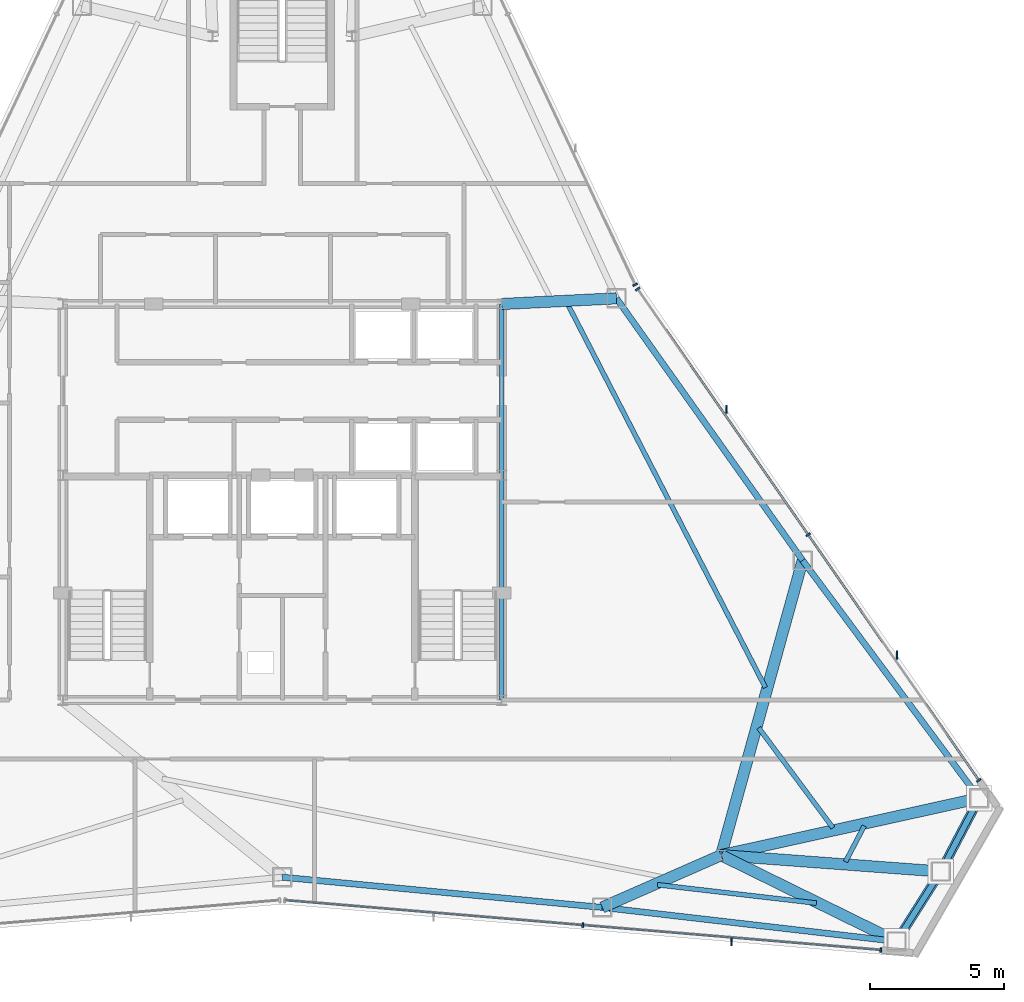
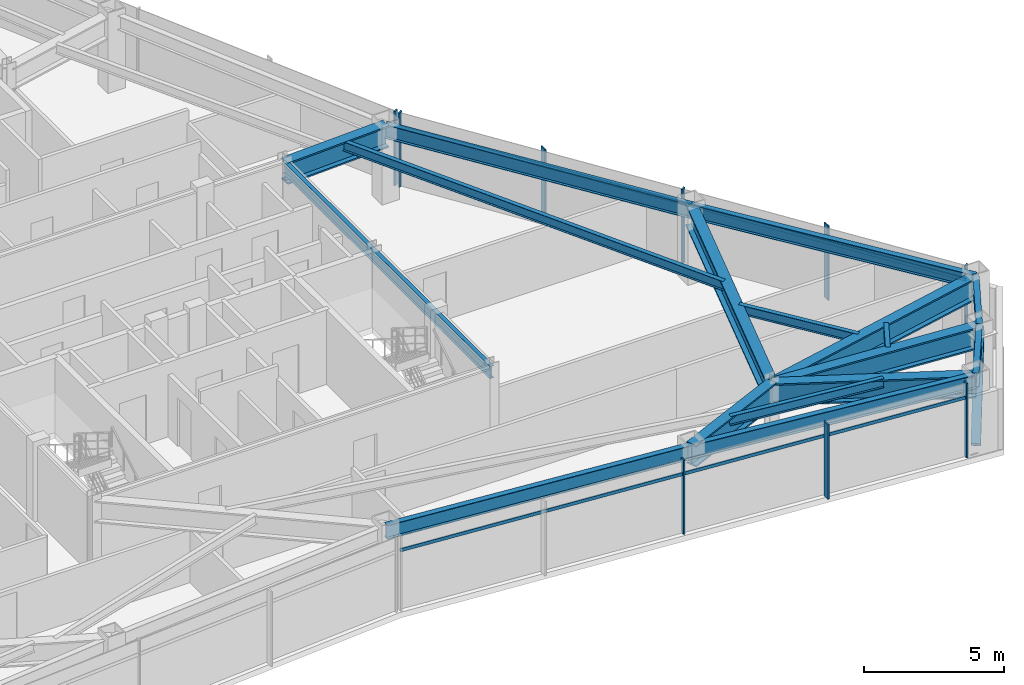
# One storey, part 6 of 12: 17 beams, 13 members, 3 elements without a shape of their own.
"""IFC4 building model written with IfcOpenShell, lengths in metres."""

from ifc_helpers import new_model, si_unit, direction, frame, origin, origin_2d, place, context, subcontext, project, spatial, rectangle, hollow_rectangle, i_section, extrude, source, transform, mapped, material, layer, layer_set, material_profile, profile_set, type_object, type_shapes, element, aggregate, save


model = new_model("IFC4")

# Units and contexts
model_context = context("Model", 3, precision=1e-05, world=origin(), true_north=direction((0.0, 1.0)))
body_context = subcontext(model_context, "Body", "Model", "MODEL_VIEW")
ifc_project = project(units=[si_unit("LENGTHUNIT", "METRE"), si_unit("AREAUNIT", "SQUARE_METRE"), si_unit("VOLUMEUNIT", "CUBIC_METRE"), si_unit("PLANEANGLEUNIT", "RADIAN"), si_unit("MASSUNIT", "GRAM", prefix="KILO")], contexts=[model_context])

# Site, building, storey
site_placement = place(None, origin())
site = spatial("IfcSite", under=ifc_project, at=site_placement, CompositionType="ELEMENT")
building_placement = place(site_placement, origin())
building = spatial("IfcBuilding", under=site, at=building_placement, Name="Varakhsha Concourse Tower", CompositionType="ELEMENT")
storey_placement = place(building_placement, frame((0.0, 0.0, 225.89990234375)))
storey = spatial("IfcBuildingStorey", under=building, at=storey_placement, Name="L64", CompositionType="ELEMENT", Elevation=225.89990234375)

# Beams
ifc_material_1 = material(Name="Structural Steel ASTM A992 Grade 50", Category="steel")
ifc_material_profile_1 = material_profile(ifc_material_1, i_section(OverallWidth=0.177978515625, OverallDepth=0.406982421875, WebThickness=0.008056640625, FlangeThickness=0.012939453125, at=origin_2d()), Name="W16X40")
ifc_profile_set_1 = profile_set([ifc_material_profile_1], Name="Structural Steel ASTM A992 Grade 50")
beam_type_1 = type_object("IfcBeamType", Name="BM-JST-W16X40", PredefinedType="JOIST", material=ifc_profile_set_1)
beam_1_placement = place(storey_placement, frame((54.0224609375, 9.495361328125, 3.046630859375), z_axis=(0.993377246527, -0.114898416364, 0.0), x_axis=(0.114898416364, 0.993377246527, 0.0)))
element("IfcBeam", 1, at=beam_1_placement, inside=storey, type_object=beam_type_1, Name="BM-TJST-L64-12", PredefinedType="JOIST", context=body_context, shape_type="SweptSolid", body=[
    extrude(i_section(OverallWidth=0.177978515625, OverallDepth=0.406982421875, WebThickness=0.008056640625, FlangeThickness=0.012939453125, at=origin_2d()), origin(), (0.0, 0.0, 1.0), 5.979248046875),
])
beam_2_placement = place(storey_placement, frame((61.048828125, 10.356689453125, 3.046630859375), z_axis=(0.464314737721, 0.885670268404, 0.0), x_axis=(-0.885670268404, 0.464314737721, 0.0)))
element("IfcBeam", 2, at=beam_2_placement, inside=storey, type_object=beam_type_1, Name="BM-TJST-L64-14", PredefinedType="JOIST", context=body_context, shape_type="SweptSolid", body=[
    extrude(i_section(OverallWidth=0.177978515625, OverallDepth=0.406982421875, WebThickness=0.008056640625, FlangeThickness=0.012939453125, at=origin_2d()), origin(), (0.0, 0.0, 1.0), 1.51171875),
])
beam_3_placement = place(storey_placement, frame((60.57861328125, 11.625732421875, 3.046630859375), z_axis=(-0.59617998396, 0.802850812247, 0.0), x_axis=(-0.802850812247, -0.59617998396, 0.0)))
element("IfcBeam", 3, at=beam_3_placement, inside=storey, type_object=beam_type_1, Name="BM-TJST-L64-15", PredefinedType="JOIST", context=body_context, shape_type="SweptSolid", body=[
    extrude(i_section(OverallWidth=0.177978515625, OverallDepth=0.406982421875, WebThickness=0.008056640625, FlangeThickness=0.012939453125, at=origin_2d()), origin(), (0.0, 0.0, 1.0), 4.65087890625),
])
beam_4_placement = place(storey_placement, frame((58.0556640625, 16.867919921875, 3.046630859375), z_axis=(-0.458401838007, 0.888745044943, 0.0), x_axis=(-0.888745044943, -0.458401838007, 0.0)))
element("IfcBeam", 4, at=beam_4_placement, inside=storey, type_object=beam_type_1, Name="BM-TJST-L64-16", PredefinedType="JOIST", context=body_context, shape_type="SweptSolid", body=[
    extrude(i_section(OverallWidth=0.177978515625, OverallDepth=0.406982421875, WebThickness=0.008056640625, FlangeThickness=0.012939453125, at=origin_2d()), origin(), (0.0, 0.0, 1.0), 16.149169921875),
])
ifc_material_profile_2 = material_profile(ifc_material_1, i_section(OverallWidth=0.423095703125, OverallDepth=0.947998046875, WebThickness=0.0380859375, FlangeThickness=0.06396484375, at=origin_2d()), Name="W36X302")
ifc_profile_set_2 = profile_set([ifc_material_profile_2], Name="Structural Steel ASTM A992 Grade 50")
beam_type_2 = type_object("IfcBeamType", Name="BM-OUTR-W36X302", PredefinedType="USERDEFINED", material=ifc_profile_set_2)
beam_5_placement = place(storey_placement, frame((56.39990234375, 10.60009765625, 2.776123046875), z_axis=(-0.915587981704, -0.402117703862, 0.0), x_axis=(0.402117703862, -0.915587981704, 0.0)))
element("IfcBeam", 5, at=beam_5_placement, inside=storey, type_object=beam_type_2, Name="L64 Radial Floor Girder 12", ObjectType="GIRDER", PredefinedType="USERDEFINED", context=body_context, shape_type="SweptSolid", body=[
    extrude(i_section(OverallWidth=0.423095703125, OverallDepth=0.947998046875, WebThickness=0.0380859375, FlangeThickness=0.06396484375, at=origin_2d()), origin(), (0.0, 0.0, 1.0), 4.849853515625),
])
beam_6_placement = place(storey_placement, frame((56.39990234375, 10.60009765625, 2.776123046875), z_axis=(0.897480760127, -0.441053608081, 0.0), x_axis=(0.441053608081, 0.897480760127, 0.0)))
element("IfcBeam", 6, at=beam_6_placement, inside=storey, type_object=beam_type_2, Name="L64 Radial Floor Girder 13", ObjectType="GIRDER", PredefinedType="USERDEFINED", context=body_context, shape_type="SweptSolid", body=[
    extrude(i_section(OverallWidth=0.423095703125, OverallDepth=0.947998046875, WebThickness=0.0380859375, FlangeThickness=0.06396484375, at=origin_2d()), origin(), (0.0, 0.0, 1.0), 7.30517578125),
])
beam_7_placement = place(storey_placement, frame((56.39990234375, 10.60009765625, 2.776123046875), z_axis=(0.997261277547, -0.073959071819, 0.0), x_axis=(0.073959071819, 0.997261277547, 0.0)))
element("IfcBeam", 7, at=beam_7_placement, inside=storey, type_object=beam_type_2, Name="L64 Radial Floor Girder 14", ObjectType="GIRDER", PredefinedType="USERDEFINED", context=body_context, shape_type="SweptSolid", body=[
    extrude(i_section(OverallWidth=0.423095703125, OverallDepth=0.947998046875, WebThickness=0.0380859375, FlangeThickness=0.06396484375, at=origin_2d()), origin(), (0.0, 0.0, 1.0), 8.232666015625),
])
beam_8_placement = place(storey_placement, frame((56.39990234375, 10.60009765625, 2.776123046875), z_axis=(0.976469998414, 0.215653291644, 0.0), x_axis=(-0.215653291644, 0.976469998414, 0.0)))
element("IfcBeam", 8, at=beam_8_placement, inside=storey, type_object=beam_type_2, Name="L64 Radial Floor Girder 15", ObjectType="GIRDER", PredefinedType="USERDEFINED", context=body_context, shape_type="SweptSolid", body=[
    extrude(i_section(OverallWidth=0.423095703125, OverallDepth=0.947998046875, WebThickness=0.0380859375, FlangeThickness=0.06396484375, at=origin_2d()), origin(), (0.0, 0.0, 1.0), 9.878662109375),
])
beam_9_placement = place(storey_placement, frame((56.39990234375, 10.60009765625, 2.776123046875), z_axis=(0.266516826979, 0.963830265626, 0.0), x_axis=(-0.963830265626, 0.266516826979, 0.0)))
element("IfcBeam", 9, at=beam_9_placement, inside=storey, type_object=beam_type_2, Name="L64 Radial Floor Girder 16", ObjectType="GIRDER", PredefinedType="USERDEFINED", context=body_context, shape_type="SweptSolid", body=[
    extrude(i_section(OverallWidth=0.423095703125, OverallDepth=0.947998046875, WebThickness=0.0380859375, FlangeThickness=0.06396484375, at=origin_2d()), origin(), (0.0, 0.0, 1.0), 11.431396484375),
])
beam_10_placement = place(storey_placement, frame((48.199951171875, 31.199951171875, 2.776123046875), z_axis=(0.998790595953, 0.049166507256, 0.0), x_axis=(-0.049166507256, 0.998790595953, 0.0)))
element("IfcBeam", 10, at=beam_10_placement, inside=storey, type_object=beam_type_2, Name="L64 Radial Floor Girder 17", ObjectType="GIRDER", PredefinedType="USERDEFINED", context=body_context, shape_type="SweptSolid", body=[
    extrude(i_section(OverallWidth=0.423095703125, OverallDepth=0.947998046875, WebThickness=0.0380859375, FlangeThickness=0.06396484375, at=origin_2d()), origin(), (0.0, 0.0, 1.0), 4.295166015625),
])
ifc_material_profile_3 = material_profile(ifc_material_1, i_section(OverallWidth=0.1669921875, OverallDepth=0.534912109375, WebThickness=0.010009765625, FlangeThickness=0.01708984375, at=origin_2d()), Name="W21X57")
ifc_profile_set_3 = profile_set([ifc_material_profile_3], Name="Structural Steel ASTM A992 Grade 50")
beam_type_3 = type_object("IfcBeamType", Name="BM-RAD-W21X57", PredefinedType="BEAM", material=ifc_profile_set_3)
beam_11_placement = place(storey_placement, frame((48.199951171875, 16.39990234375, 2.982666015625), z_axis=(0.0, 1.0, 0.0), x_axis=(-1.0, 0.0, 0.0)))
element("IfcBeam", 11, at=beam_11_placement, inside=storey, type_object=beam_type_3, Name="BM-TCORE-L64-CE", PredefinedType="BEAM", context=body_context, shape_type="SweptSolid", body=[
    extrude(i_section(OverallWidth=0.1669921875, OverallDepth=0.534912109375, WebThickness=0.010009765625, FlangeThickness=0.01708984375, at=origin_2d()), origin(), (0.0, 0.0, 1.0), 14.800048828125),
])
ifc_material_profile_4 = material_profile(ifc_material_1, i_section(OverallWidth=0.22900390625, OverallDepth=0.612060546875, WebThickness=0.011962890625, FlangeThickness=0.02001953125, at=origin_2d()), Name="W24X84")
ifc_profile_set_4 = profile_set([ifc_material_profile_4], Name="Structural Steel ASTM A992 Grade 50")
beam_type_4 = type_object("IfcBeamType", Name="BM-SPAN-W24X84", PredefinedType="SPANDREL", material=ifc_profile_set_4)
beam_12_placement = place(storey_placement, frame((40.0, 9.77783203125, 2.944091796875), z_axis=(0.995582012356, -0.09389598859, 0.0), x_axis=(0.09389598859, 0.995582012356, 0.0)))
element("IfcBeam", 12, at=beam_12_placement, inside=storey, type_object=beam_type_4, Name="BM-SPAN-L64-11", PredefinedType="SPANDREL", context=body_context, shape_type="SweptSolid", body=[
    extrude(i_section(OverallWidth=0.22900390625, OverallDepth=0.612060546875, WebThickness=0.011962890625, FlangeThickness=0.02001953125, at=origin_2d()), origin(), (0.0, 0.0, 1.0), 12.012451171875),
])
beam_13_placement = place(storey_placement, frame((51.95947265625, 8.64990234375, 2.944091796875), z_axis=(0.993379152974, -0.114881932593, 0.0), x_axis=(0.114881932593, 0.993379152974, 0.0)))
element("IfcBeam", 13, at=beam_13_placement, inside=storey, type_object=beam_type_4, Name="BM-SPAN-L64-12", PredefinedType="SPANDREL", context=body_context, shape_type="SweptSolid", body=[
    extrude(i_section(OverallWidth=0.22900390625, OverallDepth=0.612060546875, WebThickness=0.011962890625, FlangeThickness=0.02001953125, at=origin_2d()), origin(), (0.0, 0.0, 1.0), 11.06982421875),
])
beam_14_placement = place(storey_placement, frame((62.9560546875, 7.378173828125, 2.944091796875), z_axis=(0.534851104232, 0.844946327468, 0.0), x_axis=(-0.844946327468, 0.534851104232, 0.0)))
element("IfcBeam", 14, at=beam_14_placement, inside=storey, type_object=beam_type_4, Name="BM-SPAN-L64-13", PredefinedType="SPANDREL", context=body_context, shape_type="SweptSolid", body=[
    extrude(i_section(OverallWidth=0.22900390625, OverallDepth=0.612060546875, WebThickness=0.011962890625, FlangeThickness=0.02001953125, at=origin_2d()), origin(), (0.0, 0.0, 1.0), 3.092529296875),
])
beam_15_placement = place(storey_placement, frame((64.610107421875, 9.9912109375, 2.944091796875), z_axis=(0.46430782769, 0.88567389097, 0.0), x_axis=(-0.88567389097, 0.46430782769, 0.0)))
element("IfcBeam", 15, at=beam_15_placement, inside=storey, type_object=beam_type_4, Name="BM-SPAN-L64-14", PredefinedType="SPANDREL", context=body_context, shape_type="SweptSolid", body=[
    extrude(i_section(OverallWidth=0.22900390625, OverallDepth=0.612060546875, WebThickness=0.011962890625, FlangeThickness=0.02001953125, at=origin_2d()), origin(), (0.0, 0.0, 1.0), 3.0927734375),
])
beam_16_placement = place(storey_placement, frame((66.046142578125, 12.73046875, 2.944091796875), z_axis=(-0.596178624109, 0.802851822042, 0.0), x_axis=(-0.802851822042, -0.596178624109, 0.0)))
element("IfcBeam", 16, at=beam_16_placement, inside=storey, type_object=beam_type_4, Name="BM-SPAN-L64-15", PredefinedType="SPANDREL", context=body_context, shape_type="SweptSolid", body=[
    extrude(i_section(OverallWidth=0.22900390625, OverallDepth=0.612060546875, WebThickness=0.011962890625, FlangeThickness=0.02001953125, at=origin_2d()), origin(), (0.0, 0.0, 1.0), 11.06982421875),
])
beam_17_placement = place(storey_placement, frame((59.446533203125, 21.617919921875, 2.944091796875), z_axis=(-0.579107968435, 0.815250857648, 0.0), x_axis=(-0.815250857648, -0.579107968435, 0.0)))
element("IfcBeam", 17, at=beam_17_placement, inside=storey, type_object=beam_type_4, Name="BM-SPAN-L64-16", PredefinedType="SPANDREL", context=body_context, shape_type="SweptSolid", body=[
    extrude(i_section(OverallWidth=0.22900390625, OverallDepth=0.612060546875, WebThickness=0.011962890625, FlangeThickness=0.02001953125, at=origin_2d()), origin(), (0.0, 0.0, 1.0), 12.012451171875),
])

# Members
ifc_material_2 = material(Name="Structural Steel ASTM A500 Grade C", Category="steel")
ifc_material_profile_5 = material_profile(ifc_material_2, hollow_rectangle(XDim=0.35009765625, YDim=0.35009765625, WallThickness=0.01611328125, at=origin_2d()), Name="HSS 350x350x16")
ifc_profile_set_5 = profile_set([ifc_material_profile_5], Name="Structural Steel ASTM A500 Grade C")
member_type_1 = type_object("IfcMemberType", Name="MB-TUBE-HSS350", PredefinedType="BRACE", material=ifc_profile_set_5)
shared_shape_1 = source(origin(), body_context, "Body", "SweptSolid", [
    extrude(hollow_rectangle(XDim=0.35009765625, YDim=0.35009765625, WallThickness=0.01611328125, at=origin_2d()), origin(), (0.0, 0.0, 1.0), 4.192138671875),
])
member_1_placement = place(storey_placement, frame((62.9560546875, 7.378173828125, 0.1201171875), z_axis=(0.394569925979, 0.623333124392, 0.675107687372), x_axis=(-0.844946327468, 0.534851104232, 0.0)))
element("IfcMember", 18, at=member_1_placement, inside=storey, type_object=member_type_1, Name="L64 Wind-Corner Tube Brace B05", PredefinedType="BRACE", context=body_context, shape_type="MappedRepresentation", body=[
    mapped(shared_shape_1, transform((0.0, 0.0, 0.0), scale=1.0)),
])
shared_shape_2 = source(origin(), body_context, "Body", "SweptSolid", [
    extrude(hollow_rectangle(XDim=0.35009765625, YDim=0.35009765625, WallThickness=0.01611328125, at=origin_2d()), origin(), (0.0, 0.0, 1.0), 4.1923828125),
])
type_shapes(member_type_1, [shared_shape_1, shared_shape_2])
member_2_placement = place(storey_placement, frame((66.046142578125, 12.73046875, 0.1201171875), z_axis=(-0.342544113921, -0.653407847364, 0.675071636955), x_axis=(0.88567389097, -0.46430782769, 0.0)))
element("IfcMember", 19, at=member_2_placement, inside=storey, type_object=member_type_1, Name="L64 Wind-Corner Tube Brace B06", PredefinedType="BRACE", context=body_context, shape_type="MappedRepresentation", body=[
    mapped(shared_shape_2, transform((0.0, 0.0, 0.0), scale=1.0)),
])

# Curtain wall, members
ifc_material_3 = material(Name="Anodised Bronze Architectural Aluminium AA 6063-T6", Category="aluminium")
ifc_layer = layer(ifc_material_3, 0.199951171875, Name="CW-SYS-05")
ifc_layer_set = layer_set([ifc_layer], Name="Anodised Bronze Architectural Aluminium AA 6063-T6")
curtain_wall_type = type_object("IfcCurtainWallType", Name="CW-SYS-05", PredefinedType="NOTDEFINED", material=ifc_layer_set)
curtain_wall_1_placement = place(storey_placement, origin())
curtain_wall_1 = element("IfcCurtainWall", 20, at=curtain_wall_1_placement, inside=storey, type_object=curtain_wall_type, Name="L64 Crystal Curtain Wall F6", PredefinedType="NOTDEFINED")
ifc_material_profile_6 = material_profile(ifc_material_3, rectangle(XDim=0.06494140625, YDim=0.179931640625, at=origin_2d()), Name="CWM-180X65")
ifc_profile_set_6 = profile_set([ifc_material_profile_6], Name="Anodised Bronze Architectural Aluminium AA 6063-T6")
member_type_2 = type_object("IfcMemberType", Name="CWM-180X65", PredefinedType="MULLION", material=ifc_profile_set_6)
shared_shape_3 = source(origin(), body_context, "Body", "SweptSolid", [
    extrude(rectangle(XDim=0.06494140625, YDim=0.179931640625, at=origin_2d()), origin(), (0.0, 0.0, 1.0), 3.25),
])
type_shapes(member_type_2, [shared_shape_3])
member_3_placement = place(storey_placement, frame((62.37060546875, 7.0576171875, 0.0), z_axis=(0.0, 0.0, 1.0), x_axis=(-0.996528985157, 0.083246511889, 0.0)))
member_3 = element("IfcMember", 21, at=member_3_placement, type_object=member_type_2, Name="CW-L64-F6 Mullion 00", PredefinedType="MULLION", context=body_context, shape_type="MappedRepresentation", body=[
    mapped(shared_shape_3, transform((0.0, 0.0, 0.0), scale=1.0)),
])
member_4_placement = place(storey_placement, frame((51.231689453125, 7.98828125, 0.0), z_axis=(0.0, 0.0, 1.0), x_axis=(-0.996528985157, 0.083246511889, 0.0)))
member_4 = element("IfcMember", 22, at=member_4_placement, type_object=member_type_2, Name="CW-L64-F6 Mullion 01", PredefinedType="MULLION", context=body_context, shape_type="MappedRepresentation", body=[
    mapped(shared_shape_3, transform((0.0, 0.0, 0.0), scale=1.0)),
])

curtain_wall_2_placement = place(storey_placement, origin())
curtain_wall_2 = element("IfcCurtainWall", 23, at=curtain_wall_2_placement, inside=storey, type_object=curtain_wall_type, Name="L64 Crystal Curtain Wall F8", PredefinedType="NOTDEFINED")
member_5_placement = place(storey_placement, frame((53.280517578125, 31.760009765625, 0.0), z_axis=(0.0, 0.0, 1.0), x_axis=(0.570360953861, -0.821394169879, 0.0)))
member_5 = element("IfcMember", 24, at=member_5_placement, type_object=member_type_2, Name="CW-L64-F8 Mullion 00", PredefinedType="MULLION", context=body_context, shape_type="MappedRepresentation", body=[
    mapped(shared_shape_3, transform((0.0, 0.0, 0.0), scale=1.0)),
])
member_6_placement = place(storey_placement, frame((59.65576171875, 22.578857421875, 0.0), z_axis=(0.0, 0.0, 1.0), x_axis=(0.570360953861, -0.821394169879, 0.0)))
member_6 = element("IfcMember", 25, at=member_6_placement, type_object=member_type_2, Name="CW-L64-F8 Mullion 01", PredefinedType="MULLION", context=body_context, shape_type="MappedRepresentation", body=[
    mapped(shared_shape_3, transform((0.0, 0.0, 0.0), scale=1.0)),
])
member_7_placement = place(storey_placement, frame((66.031005859375, 13.397705078125, 0.0), z_axis=(0.0, 0.0, 1.0), x_axis=(0.570360953861, -0.821394169879, 0.0)))
member_7 = element("IfcMember", 26, at=member_7_placement, type_object=member_type_2, Name="CW-L64-F8 Mullion 02", PredefinedType="MULLION", context=body_context, shape_type="MappedRepresentation", body=[
    mapped(shared_shape_3, transform((0.0, 0.0, 0.0), scale=1.0)),
])

# Curtain wall, member
curtain_wall_3_placement = place(storey_placement, origin())
curtain_wall_3 = element("IfcCurtainWall", 27, at=curtain_wall_3_placement, inside=storey, type_object=curtain_wall_type, Name="L64 Crystal Curtain Wall F9", PredefinedType="NOTDEFINED")
member_8_placement = place(storey_placement, frame((53.1875, 31.92138671875, 0.0), z_axis=(0.0, 0.0, 1.0), x_axis=(0.426172477405, -0.904641928888, 0.0)))
member_8 = element("IfcMember", 28, at=member_8_placement, type_object=member_type_2, Name="CW-L64-F9 Mullion 02", PredefinedType="MULLION", context=body_context, shape_type="MappedRepresentation", body=[
    mapped(shared_shape_3, transform((0.0, 0.0, 0.0), scale=1.0)),
])
aggregate(curtain_wall_3, [member_8])

# Member
ifc_material_profile_7 = material_profile(ifc_material_3, rectangle(XDim=0.054931640625, YDim=0.300048828125, at=origin_2d()), Name="FIN-BRZ-300")
ifc_profile_set_7 = profile_set([ifc_material_profile_7], Name="Anodised Bronze Architectural Aluminium AA 6063-T6")
member_type_3 = type_object("IfcMemberType", Name="FIN-BRZ-300", PredefinedType="USERDEFINED", material=ifc_profile_set_7)
shared_shape_4 = source(origin(), body_context, "Body", "SweptSolid", [
    extrude(rectangle(XDim=0.054931640625, YDim=0.300048828125, at=origin_2d()), origin(), (0.0, 0.0, 1.0), 3.25),
])
type_shapes(member_type_3, [shared_shape_4])
member_9_placement = place(storey_placement, frame((56.78759765625, 7.3583984375, 0.0), z_axis=(0.0, 0.0, 1.0), x_axis=(1.0, 0.0, 0.0)))
member_9 = element("IfcMember", 29, at=member_9_placement, type_object=member_type_3, Name="L64 Anodised Bronze Solar Fin F6-1", ObjectType="SOLAR FIN", PredefinedType="USERDEFINED", context=body_context, shape_type="MappedRepresentation", body=[
    mapped(shared_shape_4, transform((0.0, 0.0, 0.0), scale=1.0)),
])

member_10_placement = place(storey_placement, frame((56.603759765625, 27.263671875, 0.0), z_axis=(0.0, 0.0, 1.0), x_axis=(1.0, 0.0, 0.0)))
member_10 = element("IfcMember", 30, at=member_10_placement, type_object=member_type_3, Name="L64 Anodised Bronze Solar Fin F8-1", ObjectType="SOLAR FIN", PredefinedType="USERDEFINED", context=body_context, shape_type="MappedRepresentation", body=[
    mapped(shared_shape_4, transform((0.0, 0.0, 0.0), scale=1.0)),
])

member_11_placement = place(storey_placement, frame((62.97900390625, 18.08251953125, 0.0), z_axis=(0.0, 0.0, 1.0), x_axis=(1.0, 0.0, 0.0)))
member_11 = element("IfcMember", 31, at=member_11_placement, type_object=member_type_3, Name="L64 Anodised Bronze Solar Fin F8-2", ObjectType="SOLAR FIN", PredefinedType="USERDEFINED", context=body_context, shape_type="MappedRepresentation", body=[
    mapped(shared_shape_4, transform((0.0, 0.0, 0.0), scale=1.0)),
])

ifc_material_profile_8 = material_profile(ifc_material_3, rectangle(XDim=0.06005859375, YDim=0.139892578125, at=origin_2d()), Name="CWT-140X60")
ifc_profile_set_8 = profile_set([ifc_material_profile_8], Name="Anodised Bronze Architectural Aluminium AA 6063-T6")
member_type_4 = type_object("IfcMemberType", Name="CWT-140X60", PredefinedType="USERDEFINED", material=ifc_profile_set_8)
shared_shape_5 = source(origin(), body_context, "Body", "SweptSolid", [
    extrude(rectangle(XDim=0.06005859375, YDim=0.139892578125, at=origin_2d()), origin(), (0.0, 0.0, 1.0), 22.35498046875),
])
member_12_placement = place(storey_placement, frame((53.280517578125, 31.760009765625, 2.60009765625), z_axis=(0.570362244302, -0.821393273819, 0.0), x_axis=(0.821393273819, 0.570362244302, 0.0)))
member_12 = element("IfcMember", 32, at=member_12_placement, type_object=member_type_4, Name="CW-L64-F8 Transom 01", ObjectType="TRANSOM", PredefinedType="USERDEFINED", context=body_context, shape_type="MappedRepresentation", body=[
    mapped(shared_shape_5, transform((0.0, 0.0, 0.0), scale=1.0)),
])

aggregate(curtain_wall_2, [member_5, member_6, member_7, member_12, member_10, member_11])

shared_shape_6 = source(origin(), body_context, "Body", "SweptSolid", [
    extrude(rectangle(XDim=0.06005859375, YDim=0.139892578125, at=origin_2d()), origin(), (0.0, 0.0, 1.0), 22.355224609375),
])
type_shapes(member_type_4, [shared_shape_5, shared_shape_6])
member_13_placement = place(storey_placement, frame((62.37060546875, 7.0576171875, 2.60009765625), z_axis=(-0.996528640141, 0.083250641912, 0.0), x_axis=(-0.083250641912, -0.996528640141, 0.0)))
member_13 = element("IfcMember", 33, at=member_13_placement, type_object=member_type_4, Name="CW-L64-F6 Transom 01", ObjectType="TRANSOM", PredefinedType="USERDEFINED", context=body_context, shape_type="MappedRepresentation", body=[
    mapped(shared_shape_6, transform((0.0, 0.0, 0.0), scale=1.0)),
])

aggregate(curtain_wall_1, [member_3, member_4, member_13, member_9])

save(model, "model.ifc")
